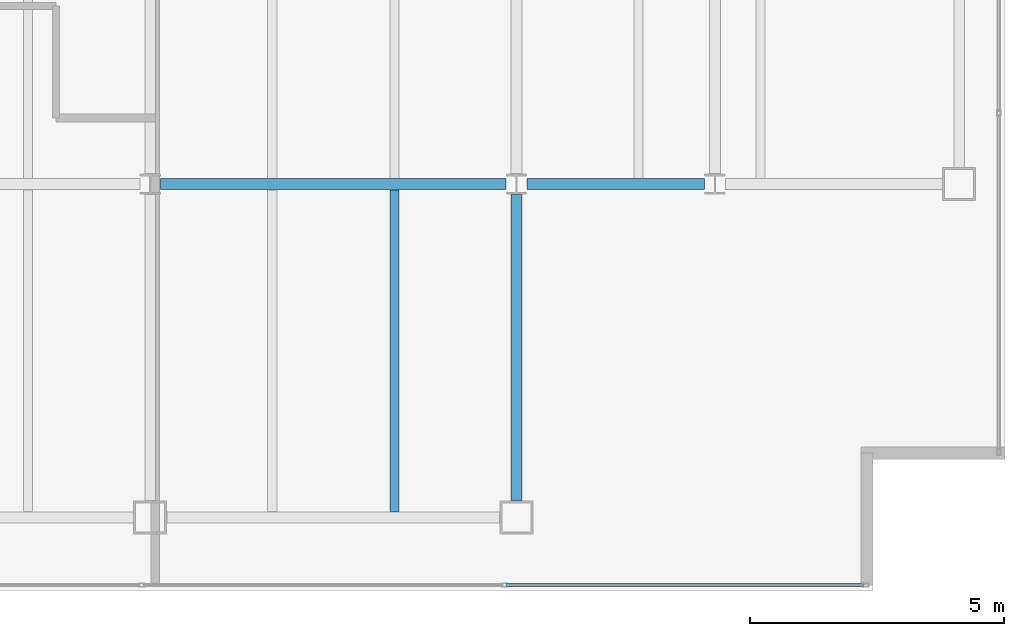
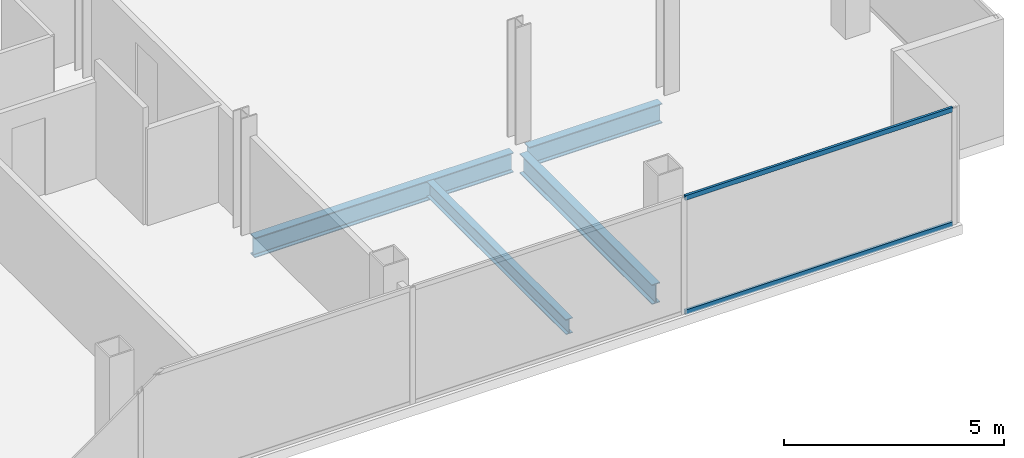
# One storey, part 13 of 23: 4 beams, 2 members, 1 element without a shape of its own.
"""IFC4 building model written with IfcOpenShell, lengths in metres."""

from ifc_helpers import new_model, si_unit, direction, frame, origin, origin_2d, place, context, subcontext, project, spatial, hollow_rectangle, i_section, extrude, material, material_profile, profile_set, type_object, element, aggregate, save


model = new_model("IFC4")

# Units and contexts
model_context = context("Model", 3, precision=1e-05, world=origin(), true_north=direction((0.0, 1.0)))
body_context = subcontext(model_context, "Body", "Model", "MODEL_VIEW")
ifc_project = project(units=[si_unit("LENGTHUNIT", "METRE"), si_unit("AREAUNIT", "SQUARE_METRE"), si_unit("VOLUMEUNIT", "CUBIC_METRE"), si_unit("PLANEANGLEUNIT", "RADIAN"), si_unit("MASSUNIT", "GRAM", prefix="KILO")], contexts=[model_context])

# Site, building, storey
site_placement = place(None, origin())
site = spatial("IfcSite", under=ifc_project, at=site_placement, CompositionType="ELEMENT")
building_placement = place(site_placement, origin())
building = spatial("IfcBuilding", under=site, at=building_placement, Name="Cobrela Telecom Tower", CompositionType="ELEMENT")
storey_placement = place(building_placement, frame((0.0, 0.0, 269.14990234375)))
storey = spatial("IfcBuildingStorey", under=building, at=storey_placement, Name="L70", CompositionType="ELEMENT", Elevation=269.14990234375)

# Beams
ifc_material_1 = material(Name="Steel ASTM A992 Grade 50", Category="steel")
ifc_material_profile_1 = material_profile(ifc_material_1, i_section(OverallWidth=0.212890625, OverallDepth=0.549072265625, WebThickness=0.0146484375, FlangeThickness=0.023681640625, FilletRadius=0.013916015625, at=origin_2d()), Name="W21X93")
ifc_profile_set_1 = profile_set([ifc_material_profile_1], Name="Steel ASTM A992 Grade 50")
beam_type_1 = type_object("IfcBeamType", Name="BM-GIRD-08", PredefinedType="USERDEFINED", material=ifc_profile_set_1)
beam_1_placement = place(storey_placement, frame((29.00439453125, 14.39990234375, -0.534423828125), z_axis=(1.0, 0.0, 0.0), x_axis=(0.0, 1.0, 0.0)))
element("IfcBeam", 1, at=beam_1_placement, inside=storey, type_object=beam_type_1, Name="L70 Primary Girder X07", ObjectType="GIRDER", PredefinedType="USERDEFINED", context=body_context, shape_type="SweptSolid", body=[
    extrude(i_section(OverallWidth=0.212890625, OverallDepth=0.549072265625, WebThickness=0.0146484375, FlangeThickness=0.023681640625, FilletRadius=0.013916015625, at=origin_2d()), origin(), (0.0, 0.0, 1.0), 6.791015625),
])
beam_2_placement = place(storey_placement, frame((36.20458984375, 14.39990234375, -0.534423828125), z_axis=(1.0, 0.0, 0.0), x_axis=(0.0, 1.0, 0.0)))
element("IfcBeam", 2, at=beam_2_placement, inside=storey, type_object=beam_type_1, Name="L70 Primary Girder X08", ObjectType="GIRDER", PredefinedType="USERDEFINED", context=body_context, shape_type="SweptSolid", body=[
    extrude(i_section(OverallWidth=0.212890625, OverallDepth=0.549072265625, WebThickness=0.0146484375, FlangeThickness=0.023681640625, FilletRadius=0.013916015625, at=origin_2d()), origin(), (0.0, 0.0, 1.0), 3.490966796875),
])
beam_3_placement = place(storey_placement, frame((36.0, 8.179931640625, -0.534423828125), z_axis=(0.0, 1.0, 0.0), x_axis=(-1.0, 0.0, 0.0)))
element("IfcBeam", 3, at=beam_3_placement, inside=storey, type_object=beam_type_1, Name="L70 Primary Girder Y31", ObjectType="GIRDER", PredefinedType="USERDEFINED", context=body_context, shape_type="SweptSolid", body=[
    extrude(i_section(OverallWidth=0.212890625, OverallDepth=0.549072265625, WebThickness=0.0146484375, FlangeThickness=0.023681640625, FilletRadius=0.013916015625, at=origin_2d()), origin(), (0.0, 0.0, 1.0), 6.015625),
])
ifc_material_profile_2 = material_profile(ifc_material_1, i_section(OverallWidth=0.179931640625, OverallDepth=0.4169921875, WebThickness=0.010986328125, FlangeThickness=0.01806640625, FilletRadius=0.011962890625, at=origin_2d()), Name="W16X57")
ifc_profile_set_2 = profile_set([ifc_material_profile_2], Name="Steel ASTM A992 Grade 50")
beam_type_2 = type_object("IfcBeamType", Name="BM-JOIST-04", PredefinedType="JOIST", material=ifc_profile_set_2)
beam_4_placement = place(storey_placement, frame((33.60009765625, 7.96142578125, -0.468505859375), z_axis=(0.0, 1.0, 0.0), x_axis=(-1.0, 0.0, 0.0)))
element("IfcBeam", 4, at=beam_4_placement, inside=storey, type_object=beam_type_2, Name="L70 Secondary Composite Floor Beam J13", PredefinedType="JOIST", context=body_context, shape_type="SweptSolid", body=[
    extrude(i_section(OverallWidth=0.179931640625, OverallDepth=0.4169921875, WebThickness=0.010986328125, FlangeThickness=0.01806640625, FilletRadius=0.011962890625, at=origin_2d()), origin(), (0.0, 0.0, 1.0), 6.3271484375),
])

# Curtain wall, members
ifc_material_2 = material(Name="Anodized Bronze Aluminium 6063-T6", Category="aluminium")
curtain_wall_type = type_object("IfcCurtainWallType", Name="CW-SYS-OFF-HI", PredefinedType="USERDEFINED", material=ifc_material_2)
curtain_wall_placement = place(storey_placement, origin())
curtain_wall = element("IfcCurtainWall", 5, at=curtain_wall_placement, inside=storey, type_object=curtain_wall_type, Name="L70 Unitised Bronze Curtain Wall 15", ObjectType="UNITISED CURTAIN WALL", PredefinedType="USERDEFINED")
ifc_material_profile_3 = material_profile(ifc_material_2, hollow_rectangle(XDim=0.06494140625, YDim=0.1298828125, WallThickness=0.00390625, at=origin_2d()), Name="ALU 65x130x4")
ifc_profile_set_3 = profile_set([ifc_material_profile_3], Name="Anodized Bronze Aluminium 6063-T6")
member_type = type_object("IfcMemberType", Name="CW-SYS-OFF-HI-TRN", PredefinedType="USERDEFINED", material=ifc_profile_set_3)
member_1_placement = place(storey_placement, frame((42.820068359375, 6.52001953125, 0.03271484375), z_axis=(-1.0, 0.0, 0.0), x_axis=(0.0, -1.0, 0.0)))
member_1 = element("IfcMember", 6, at=member_1_placement, type_object=member_type, Name="CW-OFF-HI transom 1.1", ObjectType="TRANSOM", PredefinedType="USERDEFINED", context=body_context, shape_type="SweptSolid", body=[
    extrude(hollow_rectangle(XDim=0.06494140625, YDim=0.1298828125, WallThickness=0.00390625, at=origin_2d()), origin(), (0.0, 0.0, 1.0), 7.0234375),
])
member_2_placement = place(storey_placement, frame((42.820068359375, 6.52001953125, 3.20751953125), z_axis=(-1.0, 0.0, 0.0), x_axis=(0.0, -1.0, 0.0)))
member_2 = element("IfcMember", 7, at=member_2_placement, type_object=member_type, Name="CW-OFF-HI transom 1.2", ObjectType="TRANSOM", PredefinedType="USERDEFINED", context=body_context, shape_type="SweptSolid", body=[
    extrude(hollow_rectangle(XDim=0.06494140625, YDim=0.1298828125, WallThickness=0.00390625, at=origin_2d()), origin(), (0.0, 0.0, 1.0), 7.0234375),
])
aggregate(curtain_wall, [member_1, member_2])

save(model, "model.ifc")
